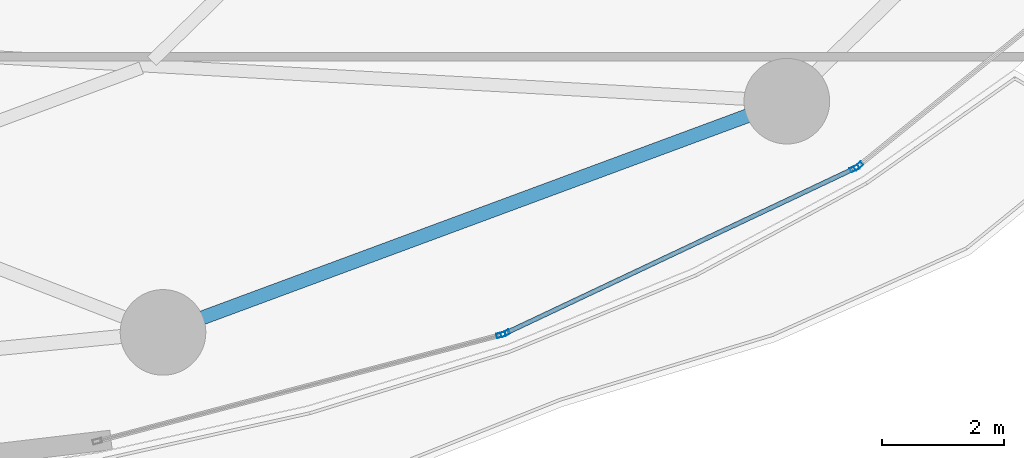
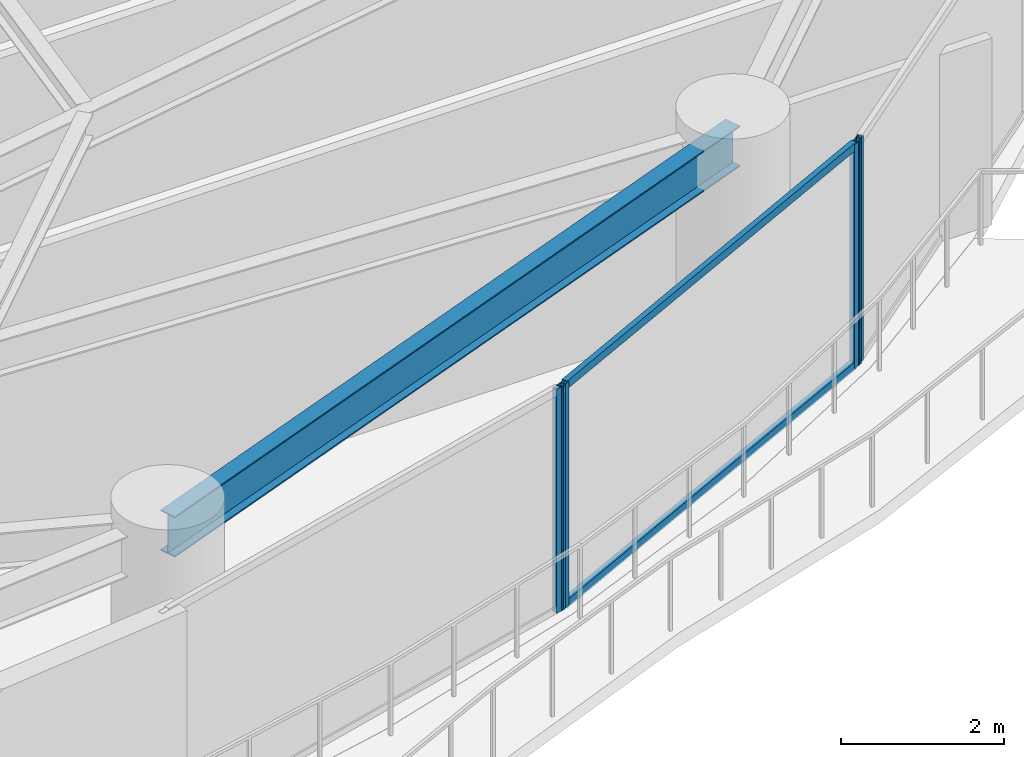
# One storey, part 14 of 30: 6 members, 1 beam, 3 elements without a shape of their own.
"""IFC4 building model written with IfcOpenShell, lengths in metres."""

from ifc_helpers import new_model, si_unit, direction, frame, origin, origin_2d, place, context, subcontext, project, spatial, hollow_rectangle, i_section, extrude, material, layer, layer_set, material_profile, profile_set, type_object, element, aggregate, save


model = new_model("IFC4")

# Units and contexts
model_context = context("Model", 3, precision=1e-05, world=origin(), true_north=direction((0.0, 1.0)))
body_context = subcontext(model_context, "Body", "Model", "MODEL_VIEW")
ifc_project = project(units=[si_unit("LENGTHUNIT", "METRE"), si_unit("AREAUNIT", "SQUARE_METRE"), si_unit("VOLUMEUNIT", "CUBIC_METRE"), si_unit("PLANEANGLEUNIT", "RADIAN"), si_unit("MASSUNIT", "GRAM", prefix="KILO")], contexts=[model_context])

# Site, building, storey
site_placement = place(None, origin())
site = spatial("IfcSite", under=ifc_project, at=site_placement, CompositionType="ELEMENT")
building_placement = place(site_placement, origin())
building = spatial("IfcBuilding", under=site, at=building_placement, Name="Kazevale Care Tower and Concert Hall", CompositionType="ELEMENT")
storey_placement = place(building_placement, frame((0.0, 0.0, 70.800048828125)))
storey = spatial("IfcBuildingStorey", under=building, at=storey_placement, Name="L18", CompositionType="ELEMENT", Elevation=70.800048828125)

# Curtain wall, member
ifc_material_1 = material(Name="Aluminium 6063-T6 and Low-E Glass", Category="aluminium")
ifc_layer = layer(ifc_material_1, 0.179931640625)
ifc_layer_set = layer_set([ifc_layer], Name="Aluminium 6063-T6 and Low-E Glass")
curtain_wall_type = type_object("IfcCurtainWallType", Name="Sheltered Concave Balcony Curtain Wall CW-5", PredefinedType="NOTDEFINED", material=ifc_layer_set)
curtain_wall_1_placement = place(storey_placement, origin())
curtain_wall_1 = element("IfcCurtainWall", 1, at=curtain_wall_1_placement, inside=storey, type_object=curtain_wall_type, Name="cw:L18:f02", PredefinedType="NOTDEFINED")
ifc_material_2 = material(Name="Aluminium 6063-T6", Category="aluminium")
ifc_material_profile_1 = material_profile(ifc_material_2, hollow_rectangle(XDim=0.074951171875, YDim=0.14990234375, WallThickness=0.00390625, at=origin_2d()), Name="ALU75x150x4")
ifc_profile_set_1 = profile_set([ifc_material_profile_1], Name="Aluminium 6063-T6")
member_type_1 = type_object("IfcMemberType", Name="CW-5 Mullion ALU75x150x4", PredefinedType="MULLION", material=ifc_profile_set_1)
member_1_placement = place(storey_placement, frame((68.41015625, 21.250732421875, 0.0), z_axis=(0.0, 0.0, 1.0), x_axis=(0.629994732952, -0.77659940539, 0.0)))
member_1 = element("IfcMember", 2, at=member_1_placement, type_object=member_type_1, Name="CW-5 mullion 2", PredefinedType="MULLION", context=body_context, shape_type="SweptSolid", body=[
    extrude(hollow_rectangle(XDim=0.074951171875, YDim=0.14990234375, WallThickness=0.00390625, at=origin_2d()), origin(), (0.0, 0.0, 1.0), 3.35986328125),
])
aggregate(curtain_wall_1, [member_1])

# Curtain wall, members
curtain_wall_2_placement = place(storey_placement, origin())
curtain_wall_2 = element("IfcCurtainWall", 3, at=curtain_wall_2_placement, inside=storey, type_object=curtain_wall_type, Name="cw:L18:f03", PredefinedType="NOTDEFINED")
member_2_placement = place(storey_placement, frame((68.34716796875, 21.2109375, 0.0), z_axis=(0.0, 0.0, 1.0), x_axis=(0.426942320459, -0.904278859092, 0.0)))
member_2 = element("IfcMember", 4, at=member_2_placement, type_object=member_type_1, Name="CW-5 mullion 1", PredefinedType="MULLION", context=body_context, shape_type="SweptSolid", body=[
    extrude(hollow_rectangle(XDim=0.074951171875, YDim=0.14990234375, WallThickness=0.00390625, at=origin_2d()), origin(), (0.0, 0.0, 1.0), 3.35986328125),
])
member_3_placement = place(storey_placement, frame((62.636962890625, 18.514892578125, 0.0), z_axis=(0.0, 0.0, 1.0), x_axis=(0.426942320459, -0.904278859092, 0.0)))
member_3 = element("IfcMember", 5, at=member_3_placement, type_object=member_type_1, Name="CW-5 mullion 2", PredefinedType="MULLION", context=body_context, shape_type="SweptSolid", body=[
    extrude(hollow_rectangle(XDim=0.074951171875, YDim=0.14990234375, WallThickness=0.00390625, at=origin_2d()), origin(), (0.0, 0.0, 1.0), 3.35986328125),
])

# Curtain wall, member
curtain_wall_3_placement = place(storey_placement, origin())
curtain_wall_3 = element("IfcCurtainWall", 6, at=curtain_wall_3_placement, inside=storey, type_object=curtain_wall_type, Name="cw:L18:f04", PredefinedType="NOTDEFINED")
member_4_placement = place(storey_placement, frame((62.566650390625, 18.489501953125, 0.0), z_axis=(0.0, 0.0, 1.0), x_axis=(0.254828630267, -0.966986230097, 0.0)))
member_4 = element("IfcMember", 7, at=member_4_placement, type_object=member_type_1, Name="CW-5 mullion 1", PredefinedType="MULLION", context=body_context, shape_type="SweptSolid", body=[
    extrude(hollow_rectangle(XDim=0.074951171875, YDim=0.14990234375, WallThickness=0.00390625, at=origin_2d()), origin(), (0.0, 0.0, 1.0), 3.35986328125),
])
aggregate(curtain_wall_3, [member_4])

# Member
ifc_material_profile_2 = material_profile(ifc_material_2, hollow_rectangle(XDim=0.074951171875, YDim=0.1201171875, WallThickness=0.00390625, at=origin_2d()), Name="ALU75x120x4")
ifc_profile_set_2 = profile_set([ifc_material_profile_2], Name="Aluminium 6063-T6")
member_type_2 = type_object("IfcMemberType", Name="CW-5 Transom ALU75x120x4", PredefinedType="USERDEFINED", material=ifc_profile_set_2)
member_5_placement = place(storey_placement, frame((68.313232421875, 21.195068359375, 0.037353515625), z_axis=(-0.904271726847, -0.426957426479, 0.0), x_axis=(0.426957426479, -0.904271726847, 0.0)))
member_5 = element("IfcMember", 8, at=member_5_placement, type_object=member_type_2, Name="CW-5 transom 1.1", ObjectType="TRANSOM", PredefinedType="USERDEFINED", context=body_context, shape_type="SweptSolid", body=[
    extrude(hollow_rectangle(XDim=0.074951171875, YDim=0.1201171875, WallThickness=0.00390625, at=origin_2d()), origin(), (0.0, 0.0, 1.0), 6.23974609375),
])

member_6_placement = place(storey_placement, frame((68.313232421875, 21.195068359375, 3.322509765625), z_axis=(-0.904271726847, -0.426957426479, 0.0), x_axis=(0.426957426479, -0.904271726847, 0.0)))
member_6 = element("IfcMember", 9, at=member_6_placement, type_object=member_type_2, Name="CW-5 transom 1.2", ObjectType="TRANSOM", PredefinedType="USERDEFINED", context=body_context, shape_type="SweptSolid", body=[
    extrude(hollow_rectangle(XDim=0.074951171875, YDim=0.1201171875, WallThickness=0.00390625, at=origin_2d()), origin(), (0.0, 0.0, 1.0), 6.23974609375),
])

aggregate(curtain_wall_2, [member_2, member_3, member_5, member_6])

# Beam
ifc_material_3 = material(Name="Steel ASTM A572 Gr 50", Category="steel")
ifc_material_profile_3 = material_profile(ifc_material_3, i_section(OverallWidth=0.22900390625, OverallDepth=0.612060546875, WebThickness=0.011962890625, FlangeThickness=0.01953125, at=origin_2d()), Name="W610x125")
ifc_profile_set_3 = profile_set([ifc_material_profile_3], Name="Steel ASTM A572 Gr 50")
beam_type = type_object("IfcBeamType", Name="Ring Spandrel Beam W610x125", PredefinedType="SPANDREL", material=ifc_profile_set_3)
beam_placement = place(storey_placement, frame((57.0400390625, 18.530029296875, 3.053955078125), z_axis=(0.937680788596, 0.347497825458, 0.0), x_axis=(-0.347497825458, 0.937680788596, 0.0)))
element("IfcBeam", 10, at=beam_placement, inside=storey, type_object=beam_type, Name="beam:L18:ring:14", PredefinedType="SPANDREL", context=body_context, shape_type="SweptSolid", body=[
    extrude(i_section(OverallWidth=0.22900390625, OverallDepth=0.612060546875, WebThickness=0.011962890625, FlangeThickness=0.01953125, at=origin_2d()), origin(), (0.0, 0.0, 1.0), 10.8779296875),
])

save(model, "model.ifc")
